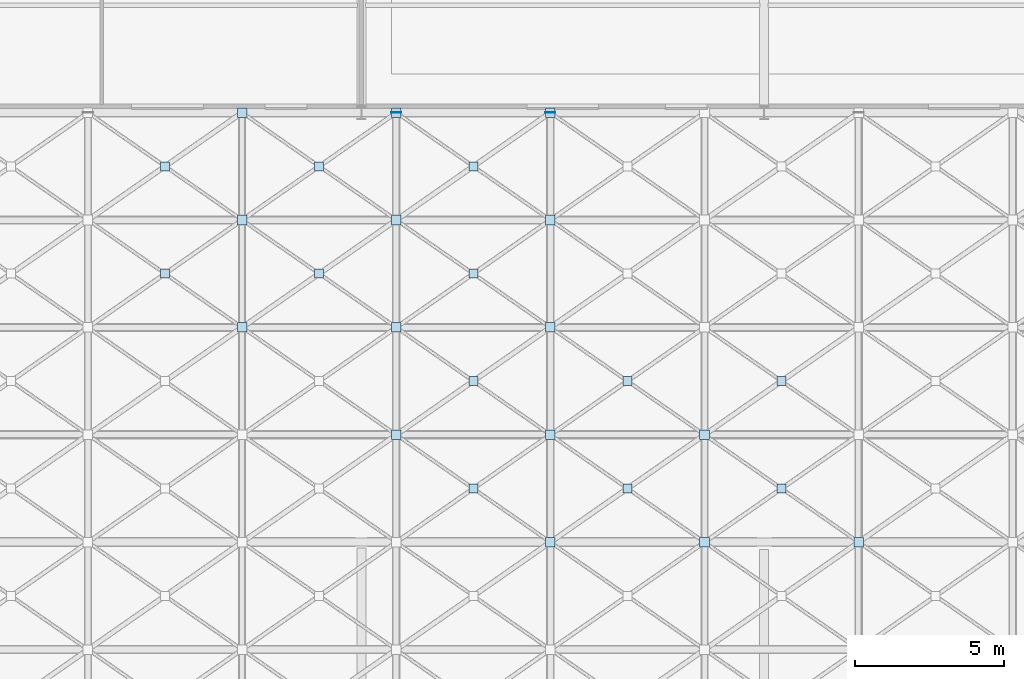
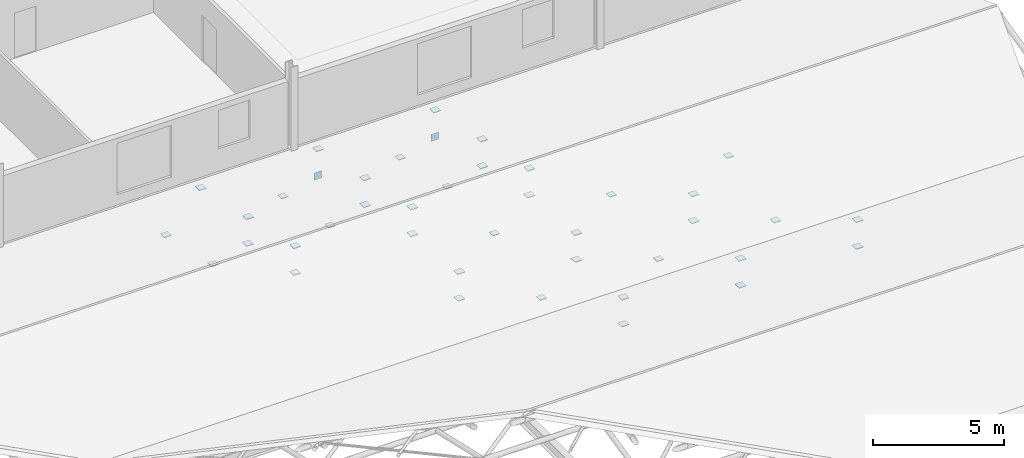
# One storey, part 99 of 110: 41 plates.
"""IFC4 building model written with IfcOpenShell, lengths in metres."""

from ifc_helpers import new_model, si_unit, direction, frame, origin, origin_2d, place, context, subcontext, project, spatial, rectangle, extrude, material, layer, layer_set, type_object, element, save


model = new_model("IFC4")

# Units and contexts
model_context = context("Model", 3, precision=1e-05, world=origin(), true_north=direction((0.0, 1.0)))
body_context = subcontext(model_context, "Body", "Model", "MODEL_VIEW")
ifc_project = project(units=[si_unit("LENGTHUNIT", "METRE"), si_unit("AREAUNIT", "SQUARE_METRE"), si_unit("VOLUMEUNIT", "CUBIC_METRE"), si_unit("PLANEANGLEUNIT", "RADIAN"), si_unit("MASSUNIT", "GRAM", prefix="KILO")], contexts=[model_context])

# Site, building, storey
site_placement = place(None, origin())
site = spatial("IfcSite", under=ifc_project, at=site_placement, CompositionType="ELEMENT")
building_placement = place(site_placement, origin())
building = spatial("IfcBuilding", under=site, at=building_placement, Name="Tamarisk Ironworks Central Station", CompositionType="ELEMENT")
storey_placement = place(building_placement, frame((0.0, 0.0, 17.39990234375)))
storey = spatial("IfcBuildingStorey", under=building, at=storey_placement, Name="L03", CompositionType="ELEMENT", Elevation=17.39990234375)

# Plates
ifc_material_1 = material(Name="Painted structural steel S355J2", Category="steel")
ifc_layer_1 = layer(ifc_material_1, 0.01611328125)
ifc_layer_set_1 = layer_set([ifc_layer_1], Name="Painted structural steel S355J2")
plate_type_1 = type_object("IfcPlateType", Name="PL-EC16", PredefinedType="SHEET", material=ifc_layer_set_1)
for number, where, z_axis, x_axis, name in (
    (1, (154.166748046875, 79.199951171875, -1.89013671875), (0.0, 0.0, 1.0), (1.0, 0.0, 0.0), "Hollow section welded end-cap plate 19"),
    (2, (159.333251953125, 79.199951171875, -1.89013671875), (0.0, 0.0, 1.0), (1.0, 0.0, 0.0), "Hollow section welded end-cap plate 20"),
):
    element("IfcPlate", number, at=place(storey_placement, frame(where, z_axis=z_axis, x_axis=x_axis)), inside=storey, type_object=plate_type_1, Name=name, PredefinedType="SHEET", context=body_context, shape_type="SweptSolid", body=[
        extrude(rectangle(XDim=0.340087890625, YDim=0.01611328125, at=origin_2d()), origin(), (0.0, 0.0, 1.0), 0.340087890625),
    ])
ifc_material_2 = material(Name="Structural steel S355J2H", Category="steel")
ifc_layer_2 = layer(ifc_material_2, 0.02587890625)
ifc_layer_set_2 = layer_set([ifc_layer_2], Name="Structural steel S355J2H")
plate_type_2 = type_object("IfcPlateType", Name="PL-ND26", PredefinedType="SHEET", material=ifc_layer_set_2)
for number, where, z_axis, x_axis, name in (
    (3, (159.333251953125, 64.800048828125, -0.48291015625), (0.0, 0.0, 1.0), (1.0, 0.0, 0.0), "Space-frame collector node plate 0910"),
    (4, (164.5, 64.800048828125, -0.48291015625), (0.0, 0.0, 1.0), (1.0, 0.0, 0.0), "Space-frame collector node plate 0922"),
    (5, (169.666748046875, 64.800048828125, -0.48291015625), (0.0, 0.0, 1.0), (1.0, 0.0, 0.0), "Space-frame collector node plate 0934"),
    (6, (149.0, 72.0, 1.167236328125), (0.0, 0.0, 1.0), (1.0, 0.0, 0.0), "Space-frame collector node plate 1032"),
):
    element("IfcPlate", number, at=place(storey_placement, frame(where, z_axis=z_axis, x_axis=x_axis)), inside=storey, type_object=plate_type_2, Name=name, PredefinedType="SHEET", context=body_context, shape_type="SweptSolid", body=[
        extrude(rectangle(XDim=0.320068359375, YDim=0.320068359375, at=origin_2d()), origin(), (0.0, 0.0, 1.0), 0.02587890625),
    ])
plate_1_placement = place(storey_placement, frame((146.416748046875, 73.800048828125, 0.129638671875), z_axis=(0.0, 0.0, 1.0), x_axis=(1.0, 0.0, 0.0)))
element("IfcPlate", 7, at=plate_1_placement, inside=storey, type_object=plate_type_2, Name="Space-frame X-brace crossing gusset plate 1033", PredefinedType="SHEET", context=body_context, shape_type="SweptSolid", body=[
    extrude(rectangle(XDim=0.300048828125, YDim=0.300048828125, at=origin_2d()), origin(), (0.0, 0.0, 1.0), 0.02587890625),
])
for number, where, z_axis, x_axis, name in (
    (8, (149.0, 72.0, -0.082763671875), (0.0, 0.0, 1.0), (1.0, 0.0, 0.0), "Space-frame collector node plate 1034"),
    (9, (149.0, 75.60009765625, 0.342041015625), (0.0, 0.0, 1.0), (1.0, 0.0, 0.0), "Space-frame collector node plate 1035"),
):
    element("IfcPlate", number, at=place(storey_placement, frame(where, z_axis=z_axis, x_axis=x_axis)), inside=storey, type_object=plate_type_2, Name=name, PredefinedType="SHEET", context=body_context, shape_type="SweptSolid", body=[
        extrude(rectangle(XDim=0.320068359375, YDim=0.320068359375, at=origin_2d()), origin(), (0.0, 0.0, 1.0), 0.02587890625),
    ])
plate_2_placement = place(storey_placement, frame((146.416748046875, 77.39990234375, -0.6953125), z_axis=(0.0, 0.0, 1.0), x_axis=(1.0, 0.0, 0.0)))
element("IfcPlate", 10, at=plate_2_placement, inside=storey, type_object=plate_type_2, Name="Space-frame X-brace crossing gusset plate 1036", PredefinedType="SHEET", context=body_context, shape_type="SweptSolid", body=[
    extrude(rectangle(XDim=0.300048828125, YDim=0.300048828125, at=origin_2d()), origin(), (0.0, 0.0, 1.0), 0.02587890625),
])
for number, where, z_axis, x_axis, name in (
    (11, (149.0, 75.60009765625, -0.907958984375), (0.0, 0.0, 1.0), (1.0, 0.0, 0.0), "Space-frame collector node plate 1037"),
    (12, (149.0, 79.199951171875, -0.48291015625), (0.0, 0.0, 1.0), (1.0, 0.0, 0.0), "Space-frame collector node plate 1038"),
    (13, (154.166748046875, 68.39990234375, 0.342041015625), (0.0, 0.0, 1.0), (1.0, 0.0, 0.0), "Space-frame collector node plate 1041"),
    (14, (154.166748046875, 68.39990234375, -0.907958984375), (0.0, 0.0, 1.0), (1.0, 0.0, 0.0), "Space-frame collector node plate 1043"),
    (15, (154.166748046875, 72.0, 1.167236328125), (0.0, 0.0, 1.0), (1.0, 0.0, 0.0), "Space-frame collector node plate 1044"),
):
    element("IfcPlate", number, at=place(storey_placement, frame(where, z_axis=z_axis, x_axis=x_axis)), inside=storey, type_object=plate_type_2, Name=name, PredefinedType="SHEET", context=body_context, shape_type="SweptSolid", body=[
        extrude(rectangle(XDim=0.320068359375, YDim=0.320068359375, at=origin_2d()), origin(), (0.0, 0.0, 1.0), 0.02587890625),
    ])
plate_3_placement = place(storey_placement, frame((151.583251953125, 73.800048828125, 0.129638671875), z_axis=(0.0, 0.0, 1.0), x_axis=(1.0, 0.0, 0.0)))
element("IfcPlate", 16, at=plate_3_placement, inside=storey, type_object=plate_type_2, Name="Space-frame X-brace crossing gusset plate 1045", PredefinedType="SHEET", context=body_context, shape_type="SweptSolid", body=[
    extrude(rectangle(XDim=0.300048828125, YDim=0.300048828125, at=origin_2d()), origin(), (0.0, 0.0, 1.0), 0.02587890625),
])
for number, where, z_axis, x_axis, name in (
    (17, (154.166748046875, 72.0, -0.082763671875), (0.0, 0.0, 1.0), (1.0, 0.0, 0.0), "Space-frame collector node plate 1046"),
    (18, (154.166748046875, 75.60009765625, 0.342041015625), (0.0, 0.0, 1.0), (1.0, 0.0, 0.0), "Space-frame collector node plate 1047"),
):
    element("IfcPlate", number, at=place(storey_placement, frame(where, z_axis=z_axis, x_axis=x_axis)), inside=storey, type_object=plate_type_2, Name=name, PredefinedType="SHEET", context=body_context, shape_type="SweptSolid", body=[
        extrude(rectangle(XDim=0.320068359375, YDim=0.320068359375, at=origin_2d()), origin(), (0.0, 0.0, 1.0), 0.02587890625),
    ])
plate_4_placement = place(storey_placement, frame((151.583251953125, 77.39990234375, -0.6953125), z_axis=(0.0, 0.0, 1.0), x_axis=(1.0, 0.0, 0.0)))
element("IfcPlate", 19, at=plate_4_placement, inside=storey, type_object=plate_type_2, Name="Space-frame X-brace crossing gusset plate 1048", PredefinedType="SHEET", context=body_context, shape_type="SweptSolid", body=[
    extrude(rectangle(XDim=0.300048828125, YDim=0.300048828125, at=origin_2d()), origin(), (0.0, 0.0, 1.0), 0.02587890625),
])
for number, where, z_axis, x_axis, name in (
    (20, (154.166748046875, 75.60009765625, -0.907958984375), (0.0, 0.0, 1.0), (1.0, 0.0, 0.0), "Space-frame collector node plate 1049"),
    (21, (154.166748046875, 79.199951171875, -0.48291015625), (0.0, 0.0, 1.0), (1.0, 0.0, 0.0), "Space-frame collector node plate 1050"),
):
    element("IfcPlate", number, at=place(storey_placement, frame(where, z_axis=z_axis, x_axis=x_axis)), inside=storey, type_object=plate_type_2, Name=name, PredefinedType="SHEET", context=body_context, shape_type="SweptSolid", body=[
        extrude(rectangle(XDim=0.320068359375, YDim=0.320068359375, at=origin_2d()), origin(), (0.0, 0.0, 1.0), 0.02587890625),
    ])
plate_5_placement = place(storey_placement, frame((156.75, 66.60009765625, -0.6953125), z_axis=(0.0, 0.0, 1.0), x_axis=(1.0, 0.0, 0.0)))
element("IfcPlate", 22, at=plate_5_placement, inside=storey, type_object=plate_type_2, Name="Space-frame X-brace crossing gusset plate 1051", PredefinedType="SHEET", context=body_context, shape_type="SweptSolid", body=[
    extrude(rectangle(XDim=0.300048828125, YDim=0.300048828125, at=origin_2d()), origin(), (0.0, 0.0, 1.0), 0.02587890625),
])
for number, where, z_axis, x_axis, name in (
    (23, (159.333251953125, 64.800048828125, -1.73291015625), (0.0, 0.0, 1.0), (1.0, 0.0, 0.0), "Space-frame collector node plate 1052"),
    (24, (159.333251953125, 68.39990234375, 0.342041015625), (0.0, 0.0, 1.0), (1.0, 0.0, 0.0), "Space-frame collector node plate 1053"),
):
    element("IfcPlate", number, at=place(storey_placement, frame(where, z_axis=z_axis, x_axis=x_axis)), inside=storey, type_object=plate_type_2, Name=name, PredefinedType="SHEET", context=body_context, shape_type="SweptSolid", body=[
        extrude(rectangle(XDim=0.320068359375, YDim=0.320068359375, at=origin_2d()), origin(), (0.0, 0.0, 1.0), 0.02587890625),
    ])
plate_6_placement = place(storey_placement, frame((156.75, 70.199951171875, 0.129638671875), z_axis=(0.0, 0.0, 1.0), x_axis=(1.0, 0.0, 0.0)))
element("IfcPlate", 25, at=plate_6_placement, inside=storey, type_object=plate_type_2, Name="Space-frame X-brace crossing gusset plate 1054", PredefinedType="SHEET", context=body_context, shape_type="SweptSolid", body=[
    extrude(rectangle(XDim=0.300048828125, YDim=0.300048828125, at=origin_2d()), origin(), (0.0, 0.0, 1.0), 0.02587890625),
])
for number, where, z_axis, x_axis, name in (
    (26, (159.333251953125, 68.39990234375, -0.907958984375), (0.0, 0.0, 1.0), (1.0, 0.0, 0.0), "Space-frame collector node plate 1055"),
    (27, (159.333251953125, 72.0, 1.167236328125), (0.0, 0.0, 1.0), (1.0, 0.0, 0.0), "Space-frame collector node plate 1056"),
):
    element("IfcPlate", number, at=place(storey_placement, frame(where, z_axis=z_axis, x_axis=x_axis)), inside=storey, type_object=plate_type_2, Name=name, PredefinedType="SHEET", context=body_context, shape_type="SweptSolid", body=[
        extrude(rectangle(XDim=0.320068359375, YDim=0.320068359375, at=origin_2d()), origin(), (0.0, 0.0, 1.0), 0.02587890625),
    ])
plate_7_placement = place(storey_placement, frame((156.75, 73.800048828125, 0.129638671875), z_axis=(0.0, 0.0, 1.0), x_axis=(1.0, 0.0, 0.0)))
element("IfcPlate", 28, at=plate_7_placement, inside=storey, type_object=plate_type_2, Name="Space-frame X-brace crossing gusset plate 1057", PredefinedType="SHEET", context=body_context, shape_type="SweptSolid", body=[
    extrude(rectangle(XDim=0.300048828125, YDim=0.300048828125, at=origin_2d()), origin(), (0.0, 0.0, 1.0), 0.02587890625),
])
for number, where, z_axis, x_axis, name in (
    (29, (159.333251953125, 72.0, -0.082763671875), (0.0, 0.0, 1.0), (1.0, 0.0, 0.0), "Space-frame collector node plate 1058"),
    (30, (159.333251953125, 75.60009765625, 0.342041015625), (0.0, 0.0, 1.0), (1.0, 0.0, 0.0), "Space-frame collector node plate 1059"),
):
    element("IfcPlate", number, at=place(storey_placement, frame(where, z_axis=z_axis, x_axis=x_axis)), inside=storey, type_object=plate_type_2, Name=name, PredefinedType="SHEET", context=body_context, shape_type="SweptSolid", body=[
        extrude(rectangle(XDim=0.320068359375, YDim=0.320068359375, at=origin_2d()), origin(), (0.0, 0.0, 1.0), 0.02587890625),
    ])
plate_8_placement = place(storey_placement, frame((156.75, 77.39990234375, -0.6953125), z_axis=(0.0, 0.0, 1.0), x_axis=(1.0, 0.0, 0.0)))
element("IfcPlate", 31, at=plate_8_placement, inside=storey, type_object=plate_type_2, Name="Space-frame X-brace crossing gusset plate 1060", PredefinedType="SHEET", context=body_context, shape_type="SweptSolid", body=[
    extrude(rectangle(XDim=0.300048828125, YDim=0.300048828125, at=origin_2d()), origin(), (0.0, 0.0, 1.0), 0.02587890625),
])
for number, where, z_axis, x_axis, name in (
    (32, (159.333251953125, 75.60009765625, -0.907958984375), (0.0, 0.0, 1.0), (1.0, 0.0, 0.0), "Space-frame collector node plate 1061"),
    (33, (159.333251953125, 79.199951171875, -0.48291015625), (0.0, 0.0, 1.0), (1.0, 0.0, 0.0), "Space-frame collector node plate 1062"),
):
    element("IfcPlate", number, at=place(storey_placement, frame(where, z_axis=z_axis, x_axis=x_axis)), inside=storey, type_object=plate_type_2, Name=name, PredefinedType="SHEET", context=body_context, shape_type="SweptSolid", body=[
        extrude(rectangle(XDim=0.320068359375, YDim=0.320068359375, at=origin_2d()), origin(), (0.0, 0.0, 1.0), 0.02587890625),
    ])
plate_9_placement = place(storey_placement, frame((161.916748046875, 66.60009765625, -0.6953125), z_axis=(0.0, 0.0, 1.0), x_axis=(1.0, 0.0, 0.0)))
element("IfcPlate", 34, at=plate_9_placement, inside=storey, type_object=plate_type_2, Name="Space-frame X-brace crossing gusset plate 1063", PredefinedType="SHEET", context=body_context, shape_type="SweptSolid", body=[
    extrude(rectangle(XDim=0.300048828125, YDim=0.300048828125, at=origin_2d()), origin(), (0.0, 0.0, 1.0), 0.02587890625),
])
for number, where, z_axis, x_axis, name in (
    (35, (164.5, 64.800048828125, -1.73291015625), (0.0, 0.0, 1.0), (1.0, 0.0, 0.0), "Space-frame collector node plate 1064"),
    (36, (164.5, 68.39990234375, 0.342041015625), (0.0, 0.0, 1.0), (1.0, 0.0, 0.0), "Space-frame collector node plate 1065"),
):
    element("IfcPlate", number, at=place(storey_placement, frame(where, z_axis=z_axis, x_axis=x_axis)), inside=storey, type_object=plate_type_2, Name=name, PredefinedType="SHEET", context=body_context, shape_type="SweptSolid", body=[
        extrude(rectangle(XDim=0.320068359375, YDim=0.320068359375, at=origin_2d()), origin(), (0.0, 0.0, 1.0), 0.02587890625),
    ])
plate_10_placement = place(storey_placement, frame((161.916748046875, 70.199951171875, 0.129638671875), z_axis=(0.0, 0.0, 1.0), x_axis=(1.0, 0.0, 0.0)))
element("IfcPlate", 37, at=plate_10_placement, inside=storey, type_object=plate_type_2, Name="Space-frame X-brace crossing gusset plate 1066", PredefinedType="SHEET", context=body_context, shape_type="SweptSolid", body=[
    extrude(rectangle(XDim=0.300048828125, YDim=0.300048828125, at=origin_2d()), origin(), (0.0, 0.0, 1.0), 0.02587890625),
])
plate_11_placement = place(storey_placement, frame((164.5, 68.39990234375, -0.907958984375), z_axis=(0.0, 0.0, 1.0), x_axis=(1.0, 0.0, 0.0)))
element("IfcPlate", 38, at=plate_11_placement, inside=storey, type_object=plate_type_2, Name="Space-frame collector node plate 1067", PredefinedType="SHEET", context=body_context, shape_type="SweptSolid", body=[
    extrude(rectangle(XDim=0.320068359375, YDim=0.320068359375, at=origin_2d()), origin(), (0.0, 0.0, 1.0), 0.02587890625),
])
plate_12_placement = place(storey_placement, frame((167.083251953125, 66.60009765625, -0.6953125), z_axis=(0.0, 0.0, 1.0), x_axis=(1.0, 0.0, 0.0)))
element("IfcPlate", 39, at=plate_12_placement, inside=storey, type_object=plate_type_2, Name="Space-frame X-brace crossing gusset plate 1075", PredefinedType="SHEET", context=body_context, shape_type="SweptSolid", body=[
    extrude(rectangle(XDim=0.300048828125, YDim=0.300048828125, at=origin_2d()), origin(), (0.0, 0.0, 1.0), 0.02587890625),
])
plate_13_placement = place(storey_placement, frame((169.666748046875, 64.800048828125, -1.73291015625), z_axis=(0.0, 0.0, 1.0), x_axis=(1.0, 0.0, 0.0)))
element("IfcPlate", 40, at=plate_13_placement, inside=storey, type_object=plate_type_2, Name="Space-frame collector node plate 1076", PredefinedType="SHEET", context=body_context, shape_type="SweptSolid", body=[
    extrude(rectangle(XDim=0.320068359375, YDim=0.320068359375, at=origin_2d()), origin(), (0.0, 0.0, 1.0), 0.02587890625),
])
plate_14_placement = place(storey_placement, frame((167.083251953125, 70.199951171875, 0.129638671875), z_axis=(0.0, 0.0, 1.0), x_axis=(1.0, 0.0, 0.0)))
element("IfcPlate", 41, at=plate_14_placement, inside=storey, type_object=plate_type_2, Name="Space-frame X-brace crossing gusset plate 1078", PredefinedType="SHEET", context=body_context, shape_type="SweptSolid", body=[
    extrude(rectangle(XDim=0.300048828125, YDim=0.300048828125, at=origin_2d()), origin(), (0.0, 0.0, 1.0), 0.02587890625),
])

save(model, "model.ifc")
